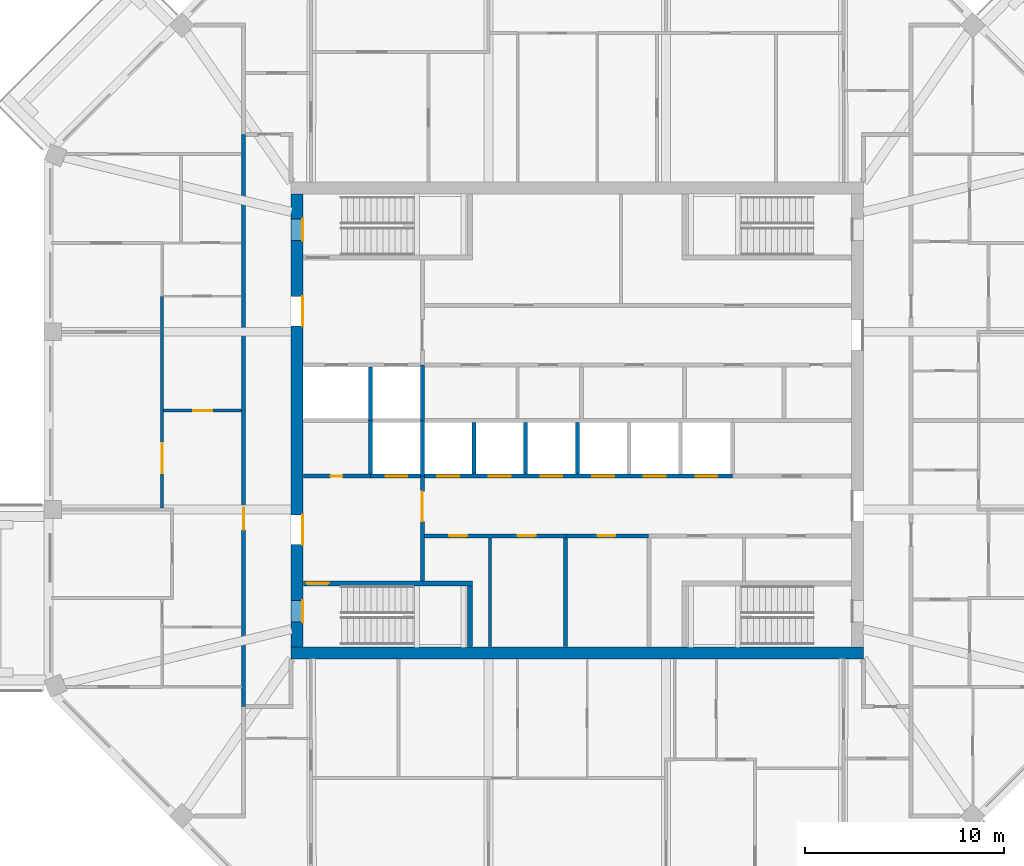
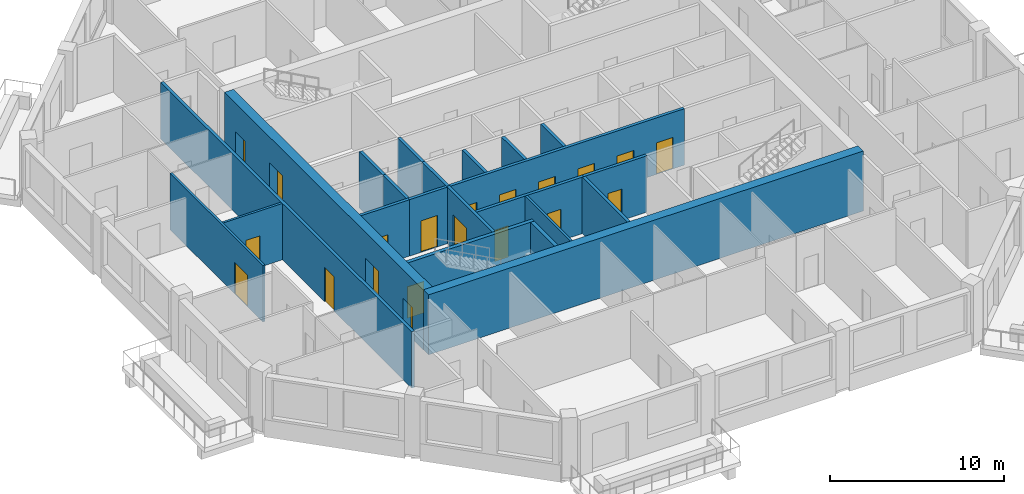
# One storey, part 4 of 11: 21 walls, 20 doors, 20 openings.
"""IFC4 building model written with IfcOpenShell, lengths in metres."""

from ifc_helpers import new_model, si_unit, direction, frame, frame_2d, origin, place, context, subcontext, project, spatial, rectangle, extrude, material, layer, layer_set, type_object, element, fill, save


model = new_model("IFC4")

# Units and contexts
model_context = context("Model", 3, precision=1e-05, world=origin(), true_north=direction((0.0, 1.0)))
body_context = subcontext(model_context, "Body", "Model", "MODEL_VIEW")
ifc_project = project(units=[si_unit("LENGTHUNIT", "METRE"), si_unit("AREAUNIT", "SQUARE_METRE"), si_unit("VOLUMEUNIT", "CUBIC_METRE"), si_unit("PLANEANGLEUNIT", "RADIAN"), si_unit("MASSUNIT", "GRAM", prefix="KILO")], contexts=[model_context])

# Site, building, storey
site_placement = place(None, origin())
site = spatial("IfcSite", under=ifc_project, at=site_placement, CompositionType="ELEMENT")
building_placement = place(site_placement, origin())
building = spatial("IfcBuilding", under=site, at=building_placement, Name="Msitu Wima Residences", CompositionType="ELEMENT")
storey_placement = place(building_placement, frame((0.0, 0.0, 268.5)))
storey = spatial("IfcBuildingStorey", under=building, at=storey_placement, Name="L62", CompositionType="ELEMENT", Elevation=268.5)

# Wall
ifc_material_1 = material(Name="Concrete C50/60", Category="concrete")
ifc_layer_1 = layer(ifc_material_1, 0.60009765625)
ifc_layer_set_1 = layer_set([ifc_layer_1], Name="Concrete C50/60")
wall_type_1 = type_object("IfcWallType", Name="Core wall CW600 C50/60", PredefinedType="SHEAR", material=ifc_layer_set_1)
wall_1_placement = place(storey_placement, frame((-14.39990234375, -11.699951171875, 0.0), z_axis=(0.0, 0.0, 1.0), x_axis=(1.0, 0.0, 0.0)))
element("IfcWall", 1, at=wall_1_placement, inside=storey, type_object=wall_type_1, Name="Core wall", PredefinedType="SHEAR", context=body_context, shape_type="SweptSolid", body=[
    extrude(rectangle(XDim=28.7998046875, YDim=0.60009765625, at=frame_2d((14.39990234375, 0.0))), origin(), (0.0, 0.0, 1.0), 4.199951171875),
])

# Wall, openings, doors
wall_2_placement = place(storey_placement, frame((-14.10009765625, -11.39990234375, 0.0), z_axis=(0.0, 0.0, 1.0), x_axis=(0.0, 1.0, 0.0)))
wall_2 = element("IfcWall", 2, at=wall_2_placement, inside=storey, type_object=wall_type_1, Name="Core wall", PredefinedType="SHEAR", context=body_context, shape_type="SweptSolid", body=[
    extrude(rectangle(XDim=22.7998046875, YDim=0.60009765625, at=frame_2d((11.39990234375, 0.0))), origin(), (0.0, 0.0, 1.0), 4.199951171875),
])
opening_1_placement = place(wall_2_placement, frame((20.449951171875, 0.0, 0.0)))
opening_1 = element("IfcOpeningElement", 3, at=opening_1_placement, cuts=wall_2, Name="Opening D60-62.085", PredefinedType="OPENING", context=body_context, shape_type="SweptSolid", body=[
    extrude(rectangle(XDim=1.10009765625, YDim=2.199951171875, at=frame_2d((0.550048828125, 1.10009765625))), frame((0.0, 0.31005859375, 0.0), z_axis=(0.0, -1.0, 0.0), x_axis=(1.0, 0.0, 0.0)), (0.0, 0.0, 1.0), 0.6201171875),
])
opening_2_placement = place(wall_2_placement, frame((1.25, 0.0, 0.0)))
opening_2 = element("IfcOpeningElement", 4, at=opening_2_placement, cuts=wall_2, Name="Opening D60-62.087", PredefinedType="OPENING", context=body_context, shape_type="SweptSolid", body=[
    extrude(rectangle(XDim=1.10009765625, YDim=2.199951171875, at=frame_2d((0.550048828125, 1.10009765625))), frame((0.0, 0.31005859375, 0.0), z_axis=(0.0, -1.0, 0.0), x_axis=(1.0, 0.0, 0.0)), (0.0, 0.0, 1.0), 0.6201171875),
])
opening_3_placement = place(wall_2_placement, frame((16.14990234375, 0.0, 0.0)))
opening_3 = element("IfcOpeningElement", 5, at=opening_3_placement, cuts=wall_2, Name="Opening D60-62.066", PredefinedType="OPENING", context=body_context, shape_type="SweptSolid", body=[
    extrude(rectangle(XDim=1.5, YDim=2.39990234375, at=frame_2d((0.75, 1.199951171875))), frame((0.0, 0.31005859375, 0.0), z_axis=(0.0, -1.0, 0.0), x_axis=(1.0, 0.0, 0.0)), (0.0, 0.0, 1.0), 0.6201171875),
])
opening_4_placement = place(wall_2_placement, frame((5.14990234375, 0.0, 0.0)))
opening_4 = element("IfcOpeningElement", 6, at=opening_4_placement, cuts=wall_2, Name="Opening D60-62.068", PredefinedType="OPENING", context=body_context, shape_type="SweptSolid", body=[
    extrude(rectangle(XDim=1.5, YDim=2.39990234375, at=frame_2d((0.75, 1.199951171875))), frame((0.0, 0.31005859375, 0.0), z_axis=(0.0, -1.0, 0.0), x_axis=(1.0, 0.0, 0.0)), (0.0, 0.0, 1.0), 0.6201171875),
])
ifc_material_2 = material(Name="Steel framed glazed door, fire resisting", Category="steel")
door_type_1 = type_object("IfcDoorType", Name="Lobby door D07 1500x2400", OperationType="DOUBLE_DOOR_SINGLE_SWING", PredefinedType="DOOR", material=ifc_material_2)
door_1_placement = place(opening_3_placement, origin())
door_1 = element("IfcDoor", 7, at=door_1_placement, inside=storey, type_object=door_type_1, Name="Lobby door", OperationType="DOUBLE_DOOR_SINGLE_SWING", OverallHeight=2.39990234375, OverallWidth=1.5, PredefinedType="DOOR", context=body_context, shape_type="SweptSolid", body=[
    extrude(rectangle(XDim=1.5, YDim=2.39990234375, at=frame_2d((0.75, 1.199951171875))), frame((0.0, -0.2451171875, 0.0), z_axis=(0.0, -1.0, 0.0), x_axis=(1.0, 0.0, 0.0)), (0.0, 0.0, 1.0), 0.050048828125),
])
fill(opening_3, door_1)
door_2_placement = place(opening_4_placement, origin())
door_2 = element("IfcDoor", 8, at=door_2_placement, inside=storey, type_object=door_type_1, Name="Lobby door", OperationType="DOUBLE_DOOR_SINGLE_SWING", OverallHeight=2.39990234375, OverallWidth=1.5, PredefinedType="DOOR", context=body_context, shape_type="SweptSolid", body=[
    extrude(rectangle(XDim=1.5, YDim=2.39990234375, at=frame_2d((0.75, 1.199951171875))), frame((0.0, -0.2451171875, 0.0), z_axis=(0.0, -1.0, 0.0), x_axis=(1.0, 0.0, 0.0)), (0.0, 0.0, 1.0), 0.050048828125),
])
fill(opening_4, door_2)
ifc_material_3 = material(Name="Steel door, fire resisting, panic bar", Category="steel")
door_type_2 = type_object("IfcDoorType", Name="Stair door D06 1100x2200", OperationType="SINGLE_SWING_LEFT", PredefinedType="DOOR", material=ifc_material_3)
door_3_placement = place(opening_1_placement, origin())
door_3 = element("IfcDoor", 9, at=door_3_placement, inside=storey, type_object=door_type_2, Name="Stair door", OperationType="SINGLE_SWING_RIGHT", OverallHeight=2.199951171875, OverallWidth=1.10009765625, PredefinedType="DOOR", context=body_context, shape_type="SweptSolid", body=[
    extrude(rectangle(XDim=1.10009765625, YDim=2.199951171875, at=frame_2d((0.550048828125, 1.10009765625))), frame((0.0, -0.2451171875, 0.0), z_axis=(0.0, -1.0, 0.0), x_axis=(1.0, 0.0, 0.0)), (0.0, 0.0, 1.0), 0.050048828125),
])
fill(opening_1, door_3)
door_4_placement = place(opening_2_placement, origin())
door_4 = element("IfcDoor", 10, at=door_4_placement, inside=storey, type_object=door_type_2, Name="Stair door", OperationType="SINGLE_SWING_LEFT", OverallHeight=2.199951171875, OverallWidth=1.10009765625, PredefinedType="DOOR", context=body_context, shape_type="SweptSolid", body=[
    extrude(rectangle(XDim=1.10009765625, YDim=2.199951171875, at=frame_2d((0.550048828125, 1.10009765625))), frame((0.0, -0.2451171875, 0.0), z_axis=(0.0, -1.0, 0.0), x_axis=(1.0, 0.0, 0.0)), (0.0, 0.0, 1.0), 0.050048828125),
])
fill(opening_2, door_4)

# Wall, opening, door
ifc_material_4 = material(Name="Plaster")
ifc_layer_2 = layer(ifc_material_4, 0.011962890625, Name="Plaster")
ifc_material_5 = material(Name="Concrete blockwork", Category="masonry")
ifc_layer_3 = layer(ifc_material_5, 0.176025390625, Name="Concrete blockwork")
ifc_layer_4 = layer(ifc_material_4, 0.011962890625, Name="Plaster")
ifc_layer_set_2 = layer_set([ifc_layer_2, ifc_layer_3, ifc_layer_4], Name="Concrete blockwork")
wall_type_2 = type_object("IfcWallType", Name="Corridor wall FW200", PredefinedType="PARTITIONING", material=ifc_layer_set_2)
wall_3_placement = place(storey_placement, frame((-16.800048828125, -14.39990234375, 0.0), z_axis=(0.0, 0.0, 1.0), x_axis=(0.0, 1.0, 0.0)))
wall_3 = element("IfcWall", 11, at=wall_3_placement, inside=storey, type_object=wall_type_2, Name="Corridor wall", PredefinedType="PARTITIONING", context=body_context, shape_type="SweptSolid", body=[
    extrude(rectangle(XDim=28.7998046875, YDim=0.199951171875, at=frame_2d((14.39990234375, 0.0))), origin(), (0.0, 0.0, 1.0), 3.949951171875),
])
opening_5_placement = place(wall_3_placement, frame((8.89990234375, 0.0, 0.0)))
opening_5 = element("IfcOpeningElement", 12, at=opening_5_placement, cuts=wall_3, Name="Opening D60-62.039", PredefinedType="OPENING", context=body_context, shape_type="SweptSolid", body=[
    extrude(rectangle(XDim=1.10009765625, YDim=2.39990234375, at=frame_2d((0.550048828125, 1.199951171875))), frame((0.0, 0.10986328125, 0.0), z_axis=(0.0, -1.0, 0.0), x_axis=(1.0, 0.0, 0.0)), (0.0, 0.0, 1.0), 0.219970703125),
])
ifc_material_6 = material(Name="Timber flush door, fire resisting, self-closing", Category="wood")
door_type_3 = type_object("IfcDoorType", Name="Flat entrance door D01 1100x2400", OperationType="SINGLE_SWING_LEFT", PredefinedType="DOOR", material=ifc_material_6)
door_5_placement = place(opening_5_placement, origin())
door_5 = element("IfcDoor", 13, at=door_5_placement, inside=storey, type_object=door_type_3, Name="Flat entrance door", OperationType="SINGLE_SWING_LEFT", OverallHeight=2.39990234375, OverallWidth=1.10009765625, PredefinedType="DOOR", context=body_context, shape_type="SweptSolid", body=[
    extrude(rectangle(XDim=1.10009765625, YDim=2.39990234375, at=frame_2d((0.550048828125, 1.199951171875))), frame((0.0, 0.02490234375, 0.0), z_axis=(0.0, -1.0, 0.0), x_axis=(1.0, 0.0, 0.0)), (0.0, 0.0, 1.0), 0.050048828125),
])
fill(opening_5, door_5)

wall_4_placement = place(storey_placement, frame((-7.800048828125, -8.074951171875, 0.0), z_axis=(0.0, 0.0, 1.0), x_axis=(0.0, 1.0, 0.0)))
wall_4 = element("IfcWall", 14, at=wall_4_placement, inside=storey, type_object=wall_type_2, Name="Corridor wall", PredefinedType="PARTITIONING", context=body_context, shape_type="SweptSolid", body=[
    extrude(rectangle(XDim=5.27490234375, YDim=0.199951171875, at=frame_2d((2.637451171875, 0.0))), origin(), (0.0, 0.0, 1.0), 3.949951171875),
])
opening_6_placement = place(wall_4_placement, frame((3.0, 0.0, 0.0)))
opening_6 = element("IfcOpeningElement", 15, at=opening_6_placement, cuts=wall_4, Name="Opening D60-62.069", PredefinedType="OPENING", context=body_context, shape_type="SweptSolid", body=[
    extrude(rectangle(XDim=1.5, YDim=2.39990234375, at=frame_2d((0.75, 1.199951171875))), frame((0.0, 0.10986328125, 0.0), z_axis=(0.0, -1.0, 0.0), x_axis=(1.0, 0.0, 0.0)), (0.0, 0.0, 1.0), 0.219970703125),
])
door_6_placement = place(opening_6_placement, origin())
door_6 = element("IfcDoor", 16, at=door_6_placement, inside=storey, type_object=door_type_1, Name="Lobby door", OperationType="DOUBLE_DOOR_SINGLE_SWING", OverallHeight=2.39990234375, OverallWidth=1.5, PredefinedType="DOOR", context=body_context, shape_type="SweptSolid", body=[
    extrude(rectangle(XDim=1.5, YDim=2.39990234375, at=frame_2d((0.75, 1.199951171875))), frame((0.0, 0.02490234375, 0.0), z_axis=(0.0, -1.0, 0.0), x_axis=(1.0, 0.0, 0.0)), (0.0, 0.0, 1.0), 0.050048828125),
])
fill(opening_6, door_6)

# Wall, openings, doors
wall_5_placement = place(storey_placement, frame((-7.699951171875, -5.800048828125, 0.0), z_axis=(0.0, 0.0, 1.0), x_axis=(1.0, 0.0, 0.0)))
wall_5 = element("IfcWall", 17, at=wall_5_placement, inside=storey, type_object=wall_type_2, Name="Corridor wall", PredefinedType="PARTITIONING", context=body_context, shape_type="SweptSolid", body=[
    extrude(rectangle(XDim=7.119873046875, YDim=0.199951171875, at=frame_2d((3.56005859375, 0.0))), origin(), (0.0, 0.0, 1.0), 3.949951171875),
])
opening_7_placement = place(wall_5_placement, frame((1.25, 0.0, 0.0)))
opening_7 = element("IfcOpeningElement", 18, at=opening_7_placement, cuts=wall_5, Name="Opening D60-62.072", PredefinedType="OPENING", context=body_context, shape_type="SweptSolid", body=[
    extrude(rectangle(XDim=0.89990234375, YDim=2.199951171875, at=frame_2d((0.449951171875, 1.10009765625))), frame((0.0, 0.10986328125, 0.0), z_axis=(0.0, -1.0, 0.0), x_axis=(1.0, 0.0, 0.0)), (0.0, 0.0, 1.0), 0.219970703125),
])
opening_8_placement = place(wall_5_placement, frame((4.699951171875, 0.0, 0.0)))
opening_8 = element("IfcOpeningElement", 19, at=opening_8_placement, cuts=wall_5, Name="Opening D60-62.073", PredefinedType="OPENING", context=body_context, shape_type="SweptSolid", body=[
    extrude(rectangle(XDim=0.89990234375, YDim=2.199951171875, at=frame_2d((0.449951171875, 1.10009765625))), frame((0.0, 0.10986328125, 0.0), z_axis=(0.0, -1.0, 0.0), x_axis=(1.0, 0.0, 0.0)), (0.0, 0.0, 1.0), 0.219970703125),
])
ifc_material_7 = material(Name="Timber flush door", Category="wood")
door_type_4 = type_object("IfcDoorType", Name="Service door D05 900x2200", OperationType="SINGLE_SWING_LEFT", PredefinedType="DOOR", material=ifc_material_7)
door_7_placement = place(opening_7_placement, origin())
door_7 = element("IfcDoor", 20, at=door_7_placement, inside=storey, type_object=door_type_4, Name="Service door", OperationType="SINGLE_SWING_LEFT", OverallHeight=2.199951171875, OverallWidth=0.89990234375, PredefinedType="DOOR", context=body_context, shape_type="SweptSolid", body=[
    extrude(rectangle(XDim=0.89990234375, YDim=2.199951171875, at=frame_2d((0.449951171875, 1.10009765625))), frame((0.0, 0.02490234375, 0.0), z_axis=(0.0, -1.0, 0.0), x_axis=(1.0, 0.0, 0.0)), (0.0, 0.0, 1.0), 0.050048828125),
])
fill(opening_7, door_7)
door_8_placement = place(opening_8_placement, origin())
door_8 = element("IfcDoor", 21, at=door_8_placement, inside=storey, type_object=door_type_4, Name="Service door", OperationType="SINGLE_SWING_RIGHT", OverallHeight=2.199951171875, OverallWidth=0.89990234375, PredefinedType="DOOR", context=body_context, shape_type="SweptSolid", body=[
    extrude(rectangle(XDim=0.89990234375, YDim=2.199951171875, at=frame_2d((0.449951171875, 1.10009765625))), frame((0.0, 0.02490234375, 0.0), z_axis=(0.0, -1.0, 0.0), x_axis=(1.0, 0.0, 0.0)), (0.0, 0.0, 1.0), 0.050048828125),
])
fill(opening_8, door_8)

# Wall, opening, door
ifc_layer_5 = layer(ifc_material_4, 0.011962890625, Name="Plaster")
ifc_layer_6 = layer(ifc_material_5, 0.1259765625, Name="Concrete blockwork")
ifc_layer_7 = layer(ifc_material_4, 0.011962890625, Name="Plaster")
ifc_layer_set_3 = layer_set([ifc_layer_5, ifc_layer_6, ifc_layer_7], Name="Concrete blockwork")
wall_type_3 = type_object("IfcWallType", Name="Partition PW150", PredefinedType="PARTITIONING", material=ifc_layer_set_3)
wall_6_placement = place(storey_placement, frame((-20.89990234375, -4.3935546875, 0.0), z_axis=(0.0, 0.0, 1.0), x_axis=(0.0, 1.0, 0.0)))
wall_6 = element("IfcWall", 22, at=wall_6_placement, inside=storey, type_object=wall_type_3, Name="Partition", PredefinedType="PARTITIONING", context=body_context, shape_type="SweptSolid", body=[
    extrude(rectangle(XDim=10.649658203125, YDim=0.14990234375, at=frame_2d((5.32470703125, 0.0))), origin(), (0.0, 0.0, 1.0), 3.949951171875),
])
opening_9_placement = place(wall_6_placement, frame((1.75, 0.0, 0.0)))
opening_9 = element("IfcOpeningElement", 23, at=opening_9_placement, cuts=wall_6, Name="Opening D60-62.044", PredefinedType="OPENING", context=body_context, shape_type="SweptSolid", body=[
    extrude(rectangle(XDim=1.5, YDim=2.199951171875, at=frame_2d((0.75, 1.10009765625))), frame((0.0, 0.0849609375, 0.0), z_axis=(0.0, -1.0, 0.0), x_axis=(1.0, 0.0, 0.0)), (0.0, 0.0, 1.0), 0.169921875),
])
ifc_material_8 = material(Name="Timber double door", Category="wood")
door_type_5 = type_object("IfcDoorType", Name="Double door D04 1500x2200", OperationType="DOUBLE_DOOR_SINGLE_SWING", PredefinedType="DOOR", material=ifc_material_8)
door_9_placement = place(opening_9_placement, origin())
door_9 = element("IfcDoor", 24, at=door_9_placement, inside=storey, type_object=door_type_5, Name="Double door", OperationType="DOUBLE_DOOR_SINGLE_SWING", OverallHeight=2.199951171875, OverallWidth=1.5, PredefinedType="DOOR", context=body_context, shape_type="SweptSolid", body=[
    extrude(rectangle(XDim=1.5, YDim=2.199951171875, at=frame_2d((0.75, 1.10009765625))), frame((0.0, 0.02490234375, 0.0), z_axis=(0.0, -1.0, 0.0), x_axis=(1.0, 0.0, 0.0)), (0.0, 0.0, 1.0), 0.050048828125),
])
fill(opening_9, door_9)

wall_7_placement = place(storey_placement, frame((-20.824951171875, 0.5, 0.0), z_axis=(0.0, 0.0, 1.0), x_axis=(1.0, 0.0, 0.0)))
wall_7 = element("IfcWall", 25, at=wall_7_placement, inside=storey, type_object=wall_type_3, Name="Partition", PredefinedType="PARTITIONING", context=body_context, shape_type="SweptSolid", body=[
    extrude(rectangle(XDim=3.925048828125, YDim=0.14990234375, at=frame_2d((1.96240234375, 0.0))), origin(), (0.0, 0.0, 1.0), 3.949951171875),
])
opening_10_placement = place(wall_7_placement, frame((1.5, 0.0, 0.0)))
opening_10 = element("IfcOpeningElement", 26, at=opening_10_placement, cuts=wall_7, Name="Opening D60-62.040", PredefinedType="OPENING", context=body_context, shape_type="SweptSolid", body=[
    extrude(rectangle(XDim=0.949951171875, YDim=2.199951171875, at=frame_2d((0.47509765625, 1.10009765625))), frame((0.0, 0.0849609375, 0.0), z_axis=(0.0, -1.0, 0.0), x_axis=(1.0, 0.0, 0.0)), (0.0, 0.0, 1.0), 0.169921875),
])
door_type_6 = type_object("IfcDoorType", Name="Room door D12 950x2200", OperationType="SINGLE_SWING_LEFT", PredefinedType="DOOR", material=ifc_material_7)
door_10_placement = place(opening_10_placement, origin())
door_10 = element("IfcDoor", 27, at=door_10_placement, inside=storey, type_object=door_type_6, Name="Room door", OperationType="SINGLE_SWING_RIGHT", OverallHeight=2.199951171875, OverallWidth=0.949951171875, PredefinedType="DOOR", context=body_context, shape_type="SweptSolid", body=[
    extrude(rectangle(XDim=0.949951171875, YDim=2.199951171875, at=frame_2d((0.47509765625, 1.10009765625))), frame((0.0, 0.02490234375, 0.0), z_axis=(0.0, -1.0, 0.0), x_axis=(1.0, 0.0, 0.0)), (0.0, 0.0, 1.0), 0.050048828125),
])
fill(opening_10, door_10)

# Wall
wall_8_placement = place(storey_placement, frame((-4.39990234375, -11.3701171875, 0.0), z_axis=(0.0, 0.0, 1.0), x_axis=(0.0, 1.0, 0.0)))
element("IfcWall", 28, at=wall_8_placement, inside=storey, type_object=wall_type_3, Name="Partition", PredefinedType="PARTITIONING", context=body_context, shape_type="SweptSolid", body=[
    extrude(rectangle(XDim=5.47021484375, YDim=0.14990234375, at=frame_2d((2.735107421875, 0.0))), origin(), (0.0, 0.0, 1.0), 3.949951171875),
])

# Wall, opening, door
ifc_layer_8 = layer(ifc_material_4, 0.011962890625, Name="Plaster")
ifc_material_9 = material(Name="Reinforced concrete blockwork", Category="masonry")
ifc_layer_9 = layer(ifc_material_9, 0.176025390625, Name="Reinforced concrete blockwork")
ifc_layer_10 = layer(ifc_material_4, 0.011962890625, Name="Plaster")
ifc_layer_set_4 = layer_set([ifc_layer_8, ifc_layer_9, ifc_layer_10], Name="Reinforced concrete blockwork")
wall_type_4 = type_object("IfcWallType", Name="Plant and riser wall PL200", PredefinedType="PARTITIONING", material=ifc_layer_set_4)
wall_9_placement = place(storey_placement, frame((-13.77001953125, -2.800048828125, 0.0), z_axis=(0.0, 0.0, 1.0), x_axis=(1.0, 0.0, 0.0)))
wall_9 = element("IfcWall", 29, at=wall_9_placement, inside=storey, type_object=wall_type_4, Name="Plant and riser wall", PredefinedType="PARTITIONING", context=body_context, shape_type="SweptSolid", body=[
    extrude(rectangle(XDim=3.3701171875, YDim=0.199951171875, at=frame_2d((1.68505859375, 0.0))), origin(), (0.0, 0.0, 1.0), 3.949951171875),
])
opening_11_placement = place(wall_9_placement, frame((1.35009765625, 0.0, 0.0)))
opening_11 = element("IfcOpeningElement", 30, at=opening_11_placement, cuts=wall_9, Name="Opening D60-62.084", PredefinedType="OPENING", context=body_context, shape_type="SweptSolid", body=[
    extrude(rectangle(XDim=0.60009765625, YDim=2.0, at=frame_2d((0.300048828125, 1.0))), frame((0.0, 0.10986328125, 0.0), z_axis=(0.0, -1.0, 0.0), x_axis=(1.0, 0.0, 0.0)), (0.0, 0.0, 1.0), 0.219970703125),
])
ifc_material_10 = material(Name="Steel access door, fire resisting", Category="steel")
door_type_7 = type_object("IfcDoorType", Name="Riser access door D08 600x2000", OperationType="SINGLE_SWING_LEFT", PredefinedType="DOOR", material=ifc_material_10)
door_11_placement = place(opening_11_placement, origin())
door_11 = element("IfcDoor", 31, at=door_11_placement, inside=storey, type_object=door_type_7, Name="Riser access door", OperationType="SINGLE_SWING_RIGHT", OverallHeight=2.0, OverallWidth=0.60009765625, PredefinedType="DOOR", context=body_context, shape_type="SweptSolid", body=[
    extrude(rectangle(XDim=0.60009765625, YDim=2.0, at=frame_2d((0.300048828125, 1.0))), frame((0.0, 0.02490234375, 0.0), z_axis=(0.0, -1.0, 0.0), x_axis=(1.0, 0.0, 0.0)), (0.0, 0.0, 1.0), 0.050048828125),
])
fill(opening_11, door_11)

wall_10_placement = place(storey_placement, frame((-0.580078125, -5.800048828125, 0.0), z_axis=(0.0, 0.0, 1.0), x_axis=(1.0, 0.0, 0.0)))
wall_10 = element("IfcWall", 32, at=wall_10_placement, inside=storey, type_object=wall_type_4, Name="Plant and riser wall", PredefinedType="PARTITIONING", context=body_context, shape_type="SweptSolid", body=[
    extrude(rectangle(XDim=4.16015625, YDim=0.199951171875, at=frame_2d((2.080078125, 0.0))), origin(), (0.0, 0.0, 1.0), 3.949951171875),
])
opening_12_placement = place(wall_10_placement, frame((1.60009765625, 0.0, 0.0)))
opening_12 = element("IfcOpeningElement", 33, at=opening_12_placement, cuts=wall_10, Name="Opening D60-62.074", PredefinedType="OPENING", context=body_context, shape_type="SweptSolid", body=[
    extrude(rectangle(XDim=0.89990234375, YDim=2.199951171875, at=frame_2d((0.449951171875, 1.10009765625))), frame((0.0, 0.10986328125, 0.0), z_axis=(0.0, -1.0, 0.0), x_axis=(1.0, 0.0, 0.0)), (0.0, 0.0, 1.0), 0.219970703125),
])
door_12_placement = place(opening_12_placement, origin())
door_12 = element("IfcDoor", 34, at=door_12_placement, inside=storey, type_object=door_type_4, Name="Service door", OperationType="SINGLE_SWING_RIGHT", OverallHeight=2.199951171875, OverallWidth=0.89990234375, PredefinedType="DOOR", context=body_context, shape_type="SweptSolid", body=[
    extrude(rectangle(XDim=0.89990234375, YDim=2.199951171875, at=frame_2d((0.449951171875, 1.10009765625))), frame((0.0, 0.02490234375, 0.0), z_axis=(0.0, -1.0, 0.0), x_axis=(1.0, 0.0, 0.0)), (0.0, 0.0, 1.0), 0.050048828125),
])
fill(opening_12, door_12)

# Walls
wall_11_placement = place(storey_placement, frame((-0.60009765625, -11.3701171875, 0.0), z_axis=(0.0, 0.0, 1.0), x_axis=(0.0, 1.0, 0.0)))
element("IfcWall", 35, at=wall_11_placement, inside=storey, type_object=wall_type_4, Name="Plant and riser wall", PredefinedType="PARTITIONING", context=body_context, shape_type="SweptSolid", body=[
    extrude(rectangle(XDim=5.47021484375, YDim=0.199951171875, at=frame_2d((2.735107421875, 0.0))), origin(), (0.0, 0.0, 1.0), 3.949951171875),
])
ifc_material_11 = material(Name="Fire-rated board")
ifc_layer_11 = layer(ifc_material_11, 0.02490234375, Name="Fire-rated board")
ifc_material_12 = material(Name="Light-gauge stud framing with mineral wool")
ifc_layer_12 = layer(ifc_material_12, 0.14990234375, Name="Light-gauge stud framing with mineral wool")
ifc_layer_13 = layer(ifc_material_11, 0.02490234375, Name="Fire-rated board")
ifc_layer_set_5 = layer_set([ifc_layer_11, ifc_layer_12, ifc_layer_13], Name="Light-gauge stud framing with mineral wool")
wall_type_5 = type_object("IfcWallType", Name="Shaft wall SH200", PredefinedType="PARTITIONING", material=ifc_layer_set_5)
wall_12_placement = place(storey_placement, frame((-10.39990234375, -2.699951171875, 0.0), z_axis=(0.0, 0.0, 1.0), x_axis=(0.0, 1.0, 0.0)))
element("IfcWall", 36, at=wall_12_placement, inside=storey, type_object=wall_type_5, Name="Shaft wall", PredefinedType="PARTITIONING", context=body_context, shape_type="SweptSolid", body=[
    extrude(rectangle(XDim=2.699951171875, YDim=0.199951171875, at=frame_2d((1.35009765625, 0.0))), origin(), (0.0, 0.0, 1.0), 3.949951171875),
])

# Wall, openings, doors
wall_13_placement = place(storey_placement, frame((-10.39990234375, -2.800048828125, 0.0), z_axis=(0.0, 0.0, 1.0), x_axis=(1.0, 0.0, 0.0)))
wall_13 = element("IfcWall", 37, at=wall_13_placement, inside=storey, type_object=wall_type_5, Name="Shaft wall", PredefinedType="PARTITIONING", context=body_context, shape_type="SweptSolid", body=[
    extrude(rectangle(XDim=18.199951171875, YDim=0.199951171875, at=frame_2d((9.10009765625, 0.0))), origin(), (0.0, 0.0, 1.0), 3.949951171875),
])
opening_13_placement = place(wall_13_placement, frame((0.75, 0.0, 0.0)))
opening_13 = element("IfcOpeningElement", 38, at=opening_13_placement, cuts=wall_13, Name="Opening LD", PredefinedType="OPENING", context=body_context, shape_type="SweptSolid", body=[
    extrude(rectangle(XDim=1.10009765625, YDim=2.199951171875, at=frame_2d((0.550048828125, 1.10009765625))), frame((0.0, 0.10986328125, 0.0), z_axis=(0.0, -1.0, 0.0), x_axis=(1.0, 0.0, 0.0)), (0.0, 0.0, 1.0), 0.219970703125),
])
opening_14_placement = place(wall_13_placement, frame((3.35009765625, 0.0, 0.0)))
opening_14 = element("IfcOpeningElement", 39, at=opening_14_placement, cuts=wall_13, Name="Opening LD", PredefinedType="OPENING", context=body_context, shape_type="SweptSolid", body=[
    extrude(rectangle(XDim=1.10009765625, YDim=2.199951171875, at=frame_2d((0.550048828125, 1.10009765625))), frame((0.0, 0.10986328125, 0.0), z_axis=(0.0, -1.0, 0.0), x_axis=(1.0, 0.0, 0.0)), (0.0, 0.0, 1.0), 0.219970703125),
])
opening_15_placement = place(wall_13_placement, frame((5.949951171875, 0.0, 0.0)))
opening_15 = element("IfcOpeningElement", 40, at=opening_15_placement, cuts=wall_13, Name="Opening LD", PredefinedType="OPENING", context=body_context, shape_type="SweptSolid", body=[
    extrude(rectangle(XDim=1.10009765625, YDim=2.199951171875, at=frame_2d((0.550048828125, 1.10009765625))), frame((0.0, 0.10986328125, 0.0), z_axis=(0.0, -1.0, 0.0), x_axis=(1.0, 0.0, 0.0)), (0.0, 0.0, 1.0), 0.219970703125),
])
opening_16_placement = place(wall_13_placement, frame((8.550048828125, 0.0, 0.0)))
opening_16 = element("IfcOpeningElement", 41, at=opening_16_placement, cuts=wall_13, Name="Opening LD", PredefinedType="OPENING", context=body_context, shape_type="SweptSolid", body=[
    extrude(rectangle(XDim=1.10009765625, YDim=2.199951171875, at=frame_2d((0.550048828125, 1.10009765625))), frame((0.0, 0.10986328125, 0.0), z_axis=(0.0, -1.0, 0.0), x_axis=(1.0, 0.0, 0.0)), (0.0, 0.0, 1.0), 0.219970703125),
])
opening_17_placement = place(wall_13_placement, frame((11.14990234375, 0.0, 0.0)))
opening_17 = element("IfcOpeningElement", 42, at=opening_17_placement, cuts=wall_13, Name="Opening LD", PredefinedType="OPENING", context=body_context, shape_type="SweptSolid", body=[
    extrude(rectangle(XDim=1.10009765625, YDim=2.199951171875, at=frame_2d((0.550048828125, 1.10009765625))), frame((0.0, 0.10986328125, 0.0), z_axis=(0.0, -1.0, 0.0), x_axis=(1.0, 0.0, 0.0)), (0.0, 0.0, 1.0), 0.219970703125),
])
opening_18_placement = place(wall_13_placement, frame((13.75, 0.0, 0.0)))
opening_18 = element("IfcOpeningElement", 43, at=opening_18_placement, cuts=wall_13, Name="Opening LD", PredefinedType="OPENING", context=body_context, shape_type="SweptSolid", body=[
    extrude(rectangle(XDim=1.10009765625, YDim=2.199951171875, at=frame_2d((0.550048828125, 1.10009765625))), frame((0.0, 0.10986328125, 0.0), z_axis=(0.0, -1.0, 0.0), x_axis=(1.0, 0.0, 0.0)), (0.0, 0.0, 1.0), 0.219970703125),
])
opening_19_placement = place(wall_13_placement, frame((16.35009765625, 0.0, 0.0)))
opening_19 = element("IfcOpeningElement", 44, at=opening_19_placement, cuts=wall_13, Name="Opening LD", PredefinedType="OPENING", context=body_context, shape_type="SweptSolid", body=[
    extrude(rectangle(XDim=1.10009765625, YDim=2.199951171875, at=frame_2d((0.550048828125, 1.10009765625))), frame((0.0, 0.10986328125, 0.0), z_axis=(0.0, -1.0, 0.0), x_axis=(1.0, 0.0, 0.0)), (0.0, 0.0, 1.0), 0.219970703125),
])
ifc_material_13 = material(Name="Stainless steel centre-opening landing door, rated", Category="steel")
door_type_8 = type_object("IfcDoorType", Name="Lift landing door LD 1100x2200", OperationType="DOUBLE_DOOR_SLIDING", PredefinedType="DOOR", material=ifc_material_13)
door_13_placement = place(opening_13_placement, origin())
door_13 = element("IfcDoor", 45, at=door_13_placement, inside=storey, type_object=door_type_8, Name="Lift landing door LD3", OperationType="DOUBLE_DOOR_SLIDING", OverallHeight=2.199951171875, OverallWidth=1.10009765625, PredefinedType="DOOR", context=body_context, shape_type="SweptSolid", body=[
    extrude(rectangle(XDim=1.10009765625, YDim=2.199951171875, at=frame_2d((0.550048828125, 1.10009765625))), frame((0.0, 0.02490234375, 0.0), z_axis=(0.0, -1.0, 0.0), x_axis=(1.0, 0.0, 0.0)), (0.0, 0.0, 1.0), 0.050048828125),
])
fill(opening_13, door_13)
door_14_placement = place(opening_14_placement, origin())
door_14 = element("IfcDoor", 46, at=door_14_placement, inside=storey, type_object=door_type_8, Name="Lift landing door LD5", OperationType="DOUBLE_DOOR_SLIDING", OverallHeight=2.199951171875, OverallWidth=1.10009765625, PredefinedType="DOOR", context=body_context, shape_type="SweptSolid", body=[
    extrude(rectangle(XDim=1.10009765625, YDim=2.199951171875, at=frame_2d((0.550048828125, 1.10009765625))), frame((0.0, 0.02490234375, 0.0), z_axis=(0.0, -1.0, 0.0), x_axis=(1.0, 0.0, 0.0)), (0.0, 0.0, 1.0), 0.050048828125),
])
fill(opening_14, door_14)
door_15_placement = place(opening_15_placement, origin())
door_15 = element("IfcDoor", 47, at=door_15_placement, inside=storey, type_object=door_type_8, Name="Lift landing door LD7", OperationType="DOUBLE_DOOR_SLIDING", OverallHeight=2.199951171875, OverallWidth=1.10009765625, PredefinedType="DOOR", context=body_context, shape_type="SweptSolid", body=[
    extrude(rectangle(XDim=1.10009765625, YDim=2.199951171875, at=frame_2d((0.550048828125, 1.10009765625))), frame((0.0, 0.02490234375, 0.0), z_axis=(0.0, -1.0, 0.0), x_axis=(1.0, 0.0, 0.0)), (0.0, 0.0, 1.0), 0.050048828125),
])
fill(opening_15, door_15)
door_16_placement = place(opening_16_placement, origin())
door_16 = element("IfcDoor", 48, at=door_16_placement, inside=storey, type_object=door_type_8, Name="Lift landing door LD9", OperationType="DOUBLE_DOOR_SLIDING", OverallHeight=2.199951171875, OverallWidth=1.10009765625, PredefinedType="DOOR", context=body_context, shape_type="SweptSolid", body=[
    extrude(rectangle(XDim=1.10009765625, YDim=2.199951171875, at=frame_2d((0.550048828125, 1.10009765625))), frame((0.0, 0.02490234375, 0.0), z_axis=(0.0, -1.0, 0.0), x_axis=(1.0, 0.0, 0.0)), (0.0, 0.0, 1.0), 0.050048828125),
])
fill(opening_16, door_16)
door_17_placement = place(opening_17_placement, origin())
door_17 = element("IfcDoor", 49, at=door_17_placement, inside=storey, type_object=door_type_8, Name="Lift landing door LD11", OperationType="DOUBLE_DOOR_SLIDING", OverallHeight=2.199951171875, OverallWidth=1.10009765625, PredefinedType="DOOR", context=body_context, shape_type="SweptSolid", body=[
    extrude(rectangle(XDim=1.10009765625, YDim=2.199951171875, at=frame_2d((0.550048828125, 1.10009765625))), frame((0.0, 0.02490234375, 0.0), z_axis=(0.0, -1.0, 0.0), x_axis=(1.0, 0.0, 0.0)), (0.0, 0.0, 1.0), 0.050048828125),
])
fill(opening_17, door_17)
door_18_placement = place(opening_18_placement, origin())
door_18 = element("IfcDoor", 50, at=door_18_placement, inside=storey, type_object=door_type_8, Name="Lift landing door LD13", OperationType="DOUBLE_DOOR_SLIDING", OverallHeight=2.199951171875, OverallWidth=1.10009765625, PredefinedType="DOOR", context=body_context, shape_type="SweptSolid", body=[
    extrude(rectangle(XDim=1.10009765625, YDim=2.199951171875, at=frame_2d((0.550048828125, 1.10009765625))), frame((0.0, 0.02490234375, 0.0), z_axis=(0.0, -1.0, 0.0), x_axis=(1.0, 0.0, 0.0)), (0.0, 0.0, 1.0), 0.050048828125),
])
fill(opening_18, door_18)
door_19_placement = place(opening_19_placement, origin())
door_19 = element("IfcDoor", 51, at=door_19_placement, inside=storey, type_object=door_type_8, Name="Lift landing door LD15", OperationType="DOUBLE_DOOR_SLIDING", OverallHeight=2.199951171875, OverallWidth=1.10009765625, PredefinedType="DOOR", context=body_context, shape_type="SweptSolid", body=[
    extrude(rectangle(XDim=1.10009765625, YDim=2.199951171875, at=frame_2d((0.550048828125, 1.10009765625))), frame((0.0, 0.02490234375, 0.0), z_axis=(0.0, -1.0, 0.0), x_axis=(1.0, 0.0, 0.0)), (0.0, 0.0, 1.0), 0.050048828125),
])
fill(opening_19, door_19)

# Walls
wall_14_placement = place(storey_placement, frame((-10.39990234375, 0.0, 0.0), z_axis=(0.0, 0.0, 1.0), x_axis=(0.0, 1.0, 0.0)))
element("IfcWall", 52, at=wall_14_placement, inside=storey, type_object=wall_type_5, Name="Shaft wall", PredefinedType="PARTITIONING", context=body_context, shape_type="SweptSolid", body=[
    extrude(rectangle(XDim=2.699951171875, YDim=0.199951171875, at=frame_2d((1.35009765625, 0.0))), origin(), (0.0, 0.0, 1.0), 3.949951171875),
])
for number, where, z_axis, x_axis, name in (
    (53, (-7.800048828125, -2.800048828125, 0.0), (0.0, 0.0, 1.0), (0.0, 1.0, 0.0), "Shaft wall"),
    (54, (-7.800048828125, 0.0, 0.0), (0.0, 0.0, 1.0), (0.0, 1.0, 0.0), "Shaft wall"),
):
    element("IfcWall", number, at=place(storey_placement, frame(where, z_axis=z_axis, x_axis=x_axis)), inside=storey, type_object=wall_type_5, Name=name, PredefinedType="PARTITIONING", context=body_context, shape_type="SweptSolid", body=[
        extrude(rectangle(XDim=2.800048828125, YDim=0.199951171875, at=frame_2d((1.39990234375, 0.0))), origin(), (0.0, 0.0, 1.0), 3.949951171875),
    ])
for number, where, z_axis, x_axis, name in (
    (55, (-5.199951171875, -2.699951171875, 0.0), (0.0, 0.0, 1.0), (0.0, 1.0, 0.0), "Shaft wall"),
    (56, (-2.60009765625, -2.699951171875, 0.0), (0.0, 0.0, 1.0), (0.0, 1.0, 0.0), "Shaft wall"),
    (57, (0.0, -2.699951171875, 0.0), (0.0, 0.0, 1.0), (0.0, 1.0, 0.0), "Shaft wall"),
):
    element("IfcWall", number, at=place(storey_placement, frame(where, z_axis=z_axis, x_axis=x_axis)), inside=storey, type_object=wall_type_5, Name=name, PredefinedType="PARTITIONING", context=body_context, shape_type="SweptSolid", body=[
        extrude(rectangle(XDim=2.599853515625, YDim=0.199951171875, at=frame_2d((1.2998046875, 0.0))), origin(), (0.0, 0.0, 1.0), 3.949951171875),
    ])

# Wall, opening, door
ifc_layer_14 = layer(ifc_material_1, 0.25)
ifc_layer_set_6 = layer_set([ifc_layer_14], Name="Concrete C50/60")
wall_type_6 = type_object("IfcWallType", Name="Stair enclosure wall SW250", PredefinedType="SHEAR", material=ifc_layer_set_6)
wall_15_placement = place(storey_placement, frame((-13.77001953125, -8.199951171875, 0.0), z_axis=(0.0, 0.0, 1.0), x_axis=(1.0, 0.0, 0.0)))
wall_15 = element("IfcWall", 58, at=wall_15_placement, inside=storey, type_object=wall_type_6, Name="Stair enclosure wall", PredefinedType="SHEAR", context=body_context, shape_type="SweptSolid", body=[
    extrude(rectangle(XDim=8.4951171875, YDim=0.25, at=frame_2d((4.24755859375, 0.0))), origin(), (0.0, 0.0, 1.0), 3.949951171875),
])
opening_20_placement = place(wall_15_placement, frame((0.14990234375, 0.0, 0.0)))
opening_20 = element("IfcOpeningElement", 59, at=opening_20_placement, cuts=wall_15, Name="Opening D60-62.088", PredefinedType="OPENING", context=body_context, shape_type="SweptSolid", body=[
    extrude(rectangle(XDim=1.10009765625, YDim=2.199951171875, at=frame_2d((0.550048828125, 1.10009765625))), frame((0.0, 0.135009765625, 0.0), z_axis=(0.0, -1.0, 0.0), x_axis=(1.0, 0.0, 0.0)), (0.0, 0.0, 1.0), 0.27001953125),
])
door_20_placement = place(opening_20_placement, origin())
door_20 = element("IfcDoor", 60, at=door_20_placement, inside=storey, type_object=door_type_2, Name="Stair door", OperationType="SINGLE_SWING_RIGHT", OverallHeight=2.199951171875, OverallWidth=1.10009765625, PredefinedType="DOOR", context=body_context, shape_type="SweptSolid", body=[
    extrude(rectangle(XDim=1.10009765625, YDim=2.199951171875, at=frame_2d((0.550048828125, 1.10009765625))), frame((0.0, 0.02490234375, 0.0), z_axis=(0.0, -1.0, 0.0), x_axis=(1.0, 0.0, 0.0)), (0.0, 0.0, 1.0), 0.050048828125),
])
fill(opening_20, door_20)

# Wall
wall_16_placement = place(storey_placement, frame((-5.39990234375, -11.3701171875, 0.0), z_axis=(0.0, 0.0, 1.0), x_axis=(0.0, 1.0, 0.0)))
element("IfcWall", 61, at=wall_16_placement, inside=storey, type_object=wall_type_6, Name="Stair enclosure wall", PredefinedType="SHEAR", context=body_context, shape_type="SweptSolid", body=[
    extrude(rectangle(XDim=3.045166015625, YDim=0.25, at=frame_2d((1.5224609375, 0.0))), origin(), (0.0, 0.0, 1.0), 3.949951171875),
])

save(model, "model.ifc")
